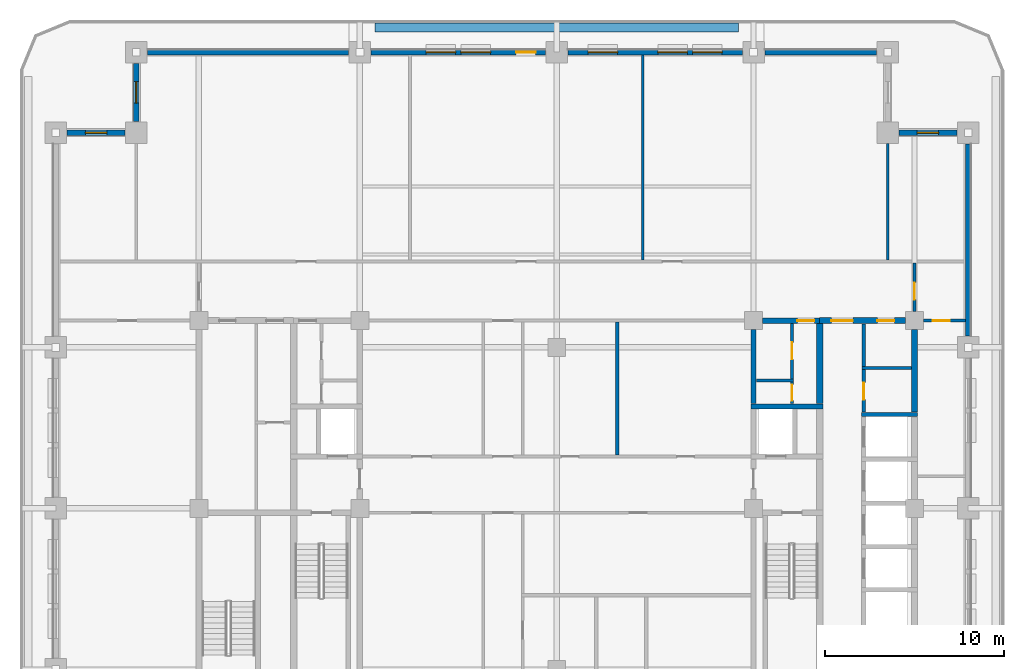
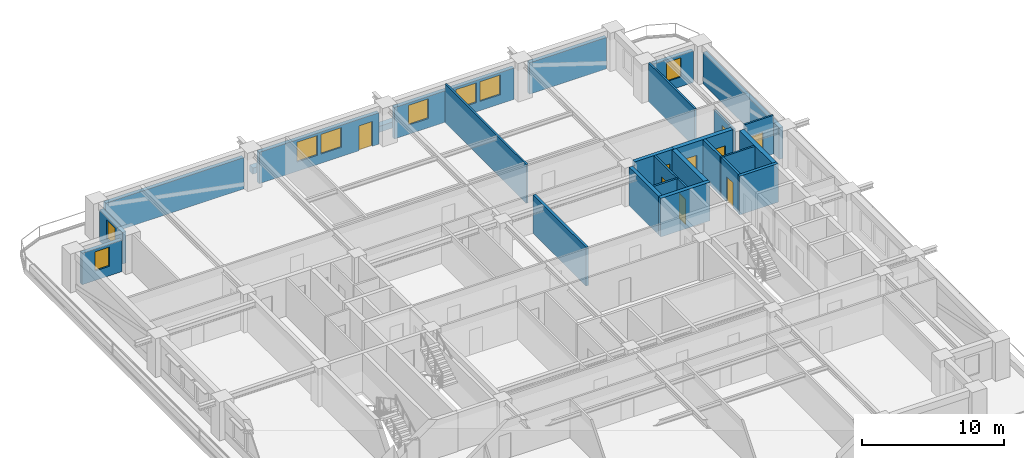
# One storey, part 6 of 15: 27 walls, 9 doors, 8 windows, 17 openings.
"""IFC4 building model written with IfcOpenShell, lengths in metres."""

from ifc_helpers import new_model, si_unit, direction, frame, frame_2d, origin, place, context, subcontext, project, spatial, rectangle, extrude, material, layer, layer_set, type_object, element, fill, save


model = new_model("IFC4")

# Units and contexts
model_context = context("Model", 3, precision=1e-05, world=origin(), true_north=direction((0.0, 1.0)))
body_context = subcontext(model_context, "Body", "Model", "MODEL_VIEW")
ifc_project = project(units=[si_unit("LENGTHUNIT", "METRE"), si_unit("AREAUNIT", "SQUARE_METRE"), si_unit("VOLUMEUNIT", "CUBIC_METRE"), si_unit("PLANEANGLEUNIT", "RADIAN"), si_unit("MASSUNIT", "GRAM", prefix="KILO")], contexts=[model_context])

# Site, building, storey
site_placement = place(None, origin())
site = spatial("IfcSite", under=ifc_project, at=site_placement, CompositionType="ELEMENT")
building_placement = place(site_placement, origin())
building = spatial("IfcBuilding", under=site, at=building_placement, Name="Zulmaris Gate Convention Tower", CompositionType="ELEMENT")
storey_placement = place(building_placement, frame((0.0, 0.0, 132.059814453125)))
storey = spatial("IfcBuildingStorey", under=building, at=storey_placement, Name="L33", CompositionType="ELEMENT", Elevation=132.059814453125)

# Walls
ifc_material_1 = material(Name="Concrete C50/60", Category="concrete")
ifc_layer_1 = layer(ifc_material_1, 0.25, Name="Concrete C50/60")
ifc_layer_set_1 = layer_set([ifc_layer_1], Name="Concrete C50/60")
wall_type_1 = type_object("IfcWallType", Name="CORE-250", PredefinedType="SOLIDWALL", material=ifc_layer_set_1)
wall_1_placement = place(storey_placement, frame((17.02490234375, 5.25, 0.0), z_axis=(0.0, 0.0, 1.0), x_axis=(1.0, 0.0, 0.0)))
element("IfcWall", 1, at=wall_1_placement, inside=storey, type_object=wall_type_1, Name="WL-L33-014", PredefinedType="SOLIDWALL", context=body_context, shape_type="SweptSolid", body=[
    extrude(rectangle(XDim=3.150146484375, YDim=0.25, at=frame_2d((1.5751953125, 0.0))), origin(), (0.0, 0.0, 1.0), 3.320068359375),
])
ifc_layer_2 = layer(ifc_material_1, 0.300048828125, Name="Concrete C50/60")
ifc_layer_set_2 = layer_set([ifc_layer_2], Name="Concrete C50/60")
wall_type_2 = type_object("IfcWallType", Name="CORE-300", PredefinedType="SHEAR", material=ifc_layer_set_2)
wall_2_placement = place(storey_placement, frame((10.85009765625, 5.699951171875, 0.0), z_axis=(0.0, 0.0, 1.0), x_axis=(1.0, 0.0, 0.0)))
element("IfcWall", 2, at=wall_2_placement, inside=storey, type_object=wall_type_2, Name="WL-L33-016", PredefinedType="SHEAR", context=body_context, shape_type="SweptSolid", body=[
    extrude(rectangle(XDim=4.02490234375, YDim=0.300048828125, at=frame_2d((2.012451171875, 0.0))), origin(), (0.0, 0.0, 1.0), 3.320068359375),
])

# Wall, opening, door
wall_3_placement = place(storey_placement, frame((11.50390625, 10.5, 0.0), z_axis=(0.0, 0.0, 1.0), x_axis=(1.0, 0.0, 0.0)))
wall_3 = element("IfcWall", 3, at=wall_3_placement, inside=storey, type_object=wall_type_2, Name="WL-L33-019", PredefinedType="SHEAR", context=body_context, shape_type="SweptSolid", body=[
    extrude(rectangle(XDim=3.196044921875, YDim=0.300048828125, at=frame_2d((1.59814453125, 0.0))), origin(), (0.0, 0.0, 1.0), 3.320068359375),
])
opening_1_placement = place(wall_3_placement, frame((1.94091796875, 0.0, 0.0)))
opening_1 = element("IfcOpeningElement", 4, at=opening_1_placement, cuts=wall_3, Name="Opening D-11", PredefinedType="OPENING", context=body_context, shape_type="SweptSolid", body=[
    extrude(rectangle(XDim=0.949951171875, YDim=2.14990234375, at=frame_2d((0.47509765625, 1.074951171875))), frame((0.0, 0.16015625, 0.0), z_axis=(0.0, -1.0, 0.0), x_axis=(1.0, 0.0, 0.0)), (0.0, 0.0, 1.0), 0.320068359375),
])
ifc_material_2 = material(Name="Fire-Rated Timber", Category="wood")
door_type_1 = type_object("IfcDoorType", Name="DR-950-FD", OperationType="NOTDEFINED", PredefinedType="DOOR", material=ifc_material_2)
door_1_placement = place(opening_1_placement, origin())
door_1 = element("IfcDoor", 5, at=door_1_placement, inside=storey, type_object=door_type_1, Name="L33 Core East Passage Door 10", OperationType="SINGLE_SWING_LEFT", OverallHeight=2.14990234375, OverallWidth=0.949951171875, PredefinedType="DOOR", context=body_context, shape_type="SweptSolid", body=[
    extrude(rectangle(XDim=0.949951171875, YDim=2.14990234375, at=frame_2d((0.47509765625, 1.074951171875))), frame((0.0, 0.02490234375, 0.0), z_axis=(0.0, -1.0, 0.0), x_axis=(1.0, 0.0, 0.0)), (0.0, 0.0, 1.0), 0.050048828125),
])
fill(opening_1, door_1)

# Wall
wall_4_placement = place(storey_placement, frame((11.0, 5.85205078125, 0.0), z_axis=(0.0, 0.0, 1.0), x_axis=(0.0, 1.0, 0.0)))
element("IfcWall", 6, at=wall_4_placement, inside=storey, type_object=wall_type_2, Name="WL-L33-053", PredefinedType="SHEAR", context=body_context, shape_type="SweptSolid", body=[
    extrude(rectangle(XDim=4.14404296875, YDim=0.300048828125, at=frame_2d((2.072021484375, 0.0))), origin(), (0.0, 0.0, 1.0), 3.320068359375),
])

# Wall, openings, doors
ifc_material_3 = material(Name="Concrete C55/67", Category="concrete")
ifc_layer_3 = layer(ifc_material_3, 0.35009765625, Name="Concrete C55/67")
ifc_layer_set_3 = layer_set([ifc_layer_3], Name="Concrete C55/67")
wall_type_3 = type_object("IfcWallType", Name="CORE-350", PredefinedType="SHEAR", material=ifc_layer_set_3)
wall_5_placement = place(storey_placement, frame((14.699951171875, 10.5, 0.0), z_axis=(0.0, 0.0, 1.0), x_axis=(1.0, 0.0, 0.0)))
wall_5 = element("IfcWall", 7, at=wall_5_placement, inside=storey, type_object=wall_type_3, Name="WL-L33-020", PredefinedType="SHEAR", context=body_context, shape_type="SweptSolid", body=[
    extrude(rectangle(XDim=4.796142578125, YDim=0.35009765625, at=frame_2d((2.39794921875, 0.0))), origin(), (0.0, 0.0, 1.0), 3.320068359375),
])
opening_2_placement = place(wall_5_placement, frame((0.64990234375, 0.0, 0.0)))
opening_2 = element("IfcOpeningElement", 8, at=opening_2_placement, cuts=wall_5, Name="Opening D-13", PredefinedType="OPENING", context=body_context, shape_type="SweptSolid", body=[
    extrude(rectangle(XDim=1.199951171875, YDim=2.14990234375, at=frame_2d((0.60009765625, 1.074951171875))), frame((0.0, 0.18505859375, 0.0), z_axis=(0.0, -1.0, 0.0), x_axis=(1.0, 0.0, 0.0)), (0.0, 0.0, 1.0), 0.3701171875),
])
opening_3_placement = place(wall_5_placement, frame((3.22509765625, 0.0, 0.0)))
opening_3 = element("IfcOpeningElement", 9, at=opening_3_placement, cuts=wall_5, Name="Opening D-11", PredefinedType="OPENING", context=body_context, shape_type="SweptSolid", body=[
    extrude(rectangle(XDim=0.949951171875, YDim=2.14990234375, at=frame_2d((0.47509765625, 1.074951171875))), frame((0.0, 0.18505859375, 0.0), z_axis=(0.0, -1.0, 0.0), x_axis=(1.0, 0.0, 0.0)), (0.0, 0.0, 1.0), 0.3701171875),
])
ifc_material_4 = material(Name="Fire-Rated Steel", Category="steel")
door_type_2 = type_object("IfcDoorType", Name="DR-1200-FD", OperationType="NOTDEFINED", PredefinedType="DOOR", material=ifc_material_4)
door_2_placement = place(opening_2_placement, origin())
door_2 = element("IfcDoor", 10, at=door_2_placement, inside=storey, type_object=door_type_2, Name="L33 East Lift Lobby North Door 22", OperationType="SINGLE_SWING_LEFT", OverallHeight=2.14990234375, OverallWidth=1.199951171875, PredefinedType="DOOR", context=body_context, shape_type="SweptSolid", body=[
    extrude(rectangle(XDim=1.199951171875, YDim=2.14990234375, at=frame_2d((0.60009765625, 1.074951171875))), frame((0.0, 0.02490234375, 0.0), z_axis=(0.0, -1.0, 0.0), x_axis=(1.0, 0.0, 0.0)), (0.0, 0.0, 1.0), 0.050048828125),
])
fill(opening_2, door_2)
door_3_placement = place(opening_3_placement, origin())
door_3 = element("IfcDoor", 11, at=door_3_placement, inside=storey, type_object=door_type_1, Name="L33 Mid-Rise Supply Door 23", OperationType="SINGLE_SWING_RIGHT", OverallHeight=2.14990234375, OverallWidth=0.949951171875, PredefinedType="DOOR", context=body_context, shape_type="SweptSolid", body=[
    extrude(rectangle(XDim=0.949951171875, YDim=2.14990234375, at=frame_2d((0.47509765625, 1.074951171875))), frame((0.0, 0.02490234375, 0.0), z_axis=(0.0, -1.0, 0.0), x_axis=(1.0, 0.0, 0.0)), (0.0, 0.0, 1.0), 0.050048828125),
])
fill(opening_3, door_3)

# Walls
wall_6_placement = place(storey_placement, frame((14.699951171875, 5.85205078125, 0.0), z_axis=(0.0, 0.0, 1.0), x_axis=(0.0, 1.0, 0.0)))
element("IfcWall", 12, at=wall_6_placement, inside=storey, type_object=wall_type_3, Name="WL-L33-059", PredefinedType="SHEAR", context=body_context, shape_type="SweptSolid", body=[
    extrude(rectangle(XDim=4.470947265625, YDim=0.35009765625, at=frame_2d((2.2353515625, 0.0))), origin(), (0.0, 0.0, 1.0), 3.320068359375),
])
wall_7_placement = place(storey_placement, frame((20.0, 5.376953125, 0.0), z_axis=(0.0, 0.0, 1.0), x_axis=(0.0, 1.0, 0.0)))
element("IfcWall", 13, at=wall_7_placement, inside=storey, type_object=wall_type_3, Name="WL-L33-071", PredefinedType="SHEAR", context=body_context, shape_type="SweptSolid", body=[
    extrude(rectangle(XDim=4.619140625, YDim=0.35009765625, at=frame_2d((2.3095703125, 0.0))), origin(), (0.0, 0.0, 1.0), 3.320068359375),
])
ifc_material_5 = material(Name="Gypsum Metal Stud Partition")
ifc_layer_4 = layer(ifc_material_5, 0.14990234375, Name="Gypsum Metal Stud Partition")
ifc_layer_set_4 = layer_set([ifc_layer_4], Name="Gypsum Metal Stud Partition")
wall_type_4 = type_object("IfcWallType", Name="PART-150", PredefinedType="PARTITIONING", material=ifc_layer_set_4)
wall_8_placement = place(storey_placement, frame((11.153076171875, 7.14990234375, 0.0), z_axis=(0.0, 0.0, 1.0), x_axis=(1.0, 0.0, 0.0)))
element("IfcWall", 14, at=wall_8_placement, inside=storey, type_object=wall_type_4, Name="WL-L33-031", PredefinedType="PARTITIONING", context=body_context, shape_type="SweptSolid", body=[
    extrude(rectangle(XDim=2.072021484375, YDim=0.14990234375, at=frame_2d((1.0361328125, 0.0))), origin(), (0.0, 0.0, 1.0), 3.320068359375),
])
wall_9_placement = place(storey_placement, frame((17.050048828125, 7.85009765625, 0.0), z_axis=(0.0, 0.0, 1.0), x_axis=(1.0, 0.0, 0.0)))
element("IfcWall", 15, at=wall_9_placement, inside=storey, type_object=wall_type_4, Name="WL-L33-032", PredefinedType="PARTITIONING", context=body_context, shape_type="SweptSolid", body=[
    extrude(rectangle(XDim=2.77197265625, YDim=0.14990234375, at=frame_2d((1.385986328125, 0.0))), origin(), (0.0, 0.0, 1.0), 3.320068359375),
])

# Wall, opening, door
wall_10_placement = place(storey_placement, frame((20.506103515625, 10.5, 0.0), z_axis=(0.0, 0.0, 1.0), x_axis=(1.0, 0.0, 0.0)))
wall_10 = element("IfcWall", 16, at=wall_10_placement, inside=storey, type_object=wall_type_4, Name="WL-L33-035", PredefinedType="PARTITIONING", context=body_context, shape_type="SweptSolid", body=[
    extrude(rectangle(XDim=2.328857421875, YDim=0.14990234375, at=frame_2d((1.16455078125, 0.0))), origin(), (0.0, 0.0, 1.0), 3.320068359375),
])
opening_4_placement = place(wall_10_placement, frame((0.51904296875, 0.0, 0.0)))
opening_4 = element("IfcOpeningElement", 17, at=opening_4_placement, cuts=wall_10, Name="Opening D-11", PredefinedType="OPENING", context=body_context, shape_type="SweptSolid", body=[
    extrude(rectangle(XDim=0.949951171875, YDim=2.14990234375, at=frame_2d((0.47509765625, 1.074951171875))), frame((0.0, 0.0849609375, 0.0), z_axis=(0.0, -1.0, 0.0), x_axis=(1.0, 0.0, 0.0)), (0.0, 0.0, 1.0), 0.169921875),
])
door_4_placement = place(opening_4_placement, origin())
door_4 = element("IfcDoor", 18, at=door_4_placement, inside=storey, type_object=door_type_1, Name="L33 NE Partner Door 51", OperationType="SINGLE_SWING_RIGHT", OverallHeight=2.14990234375, OverallWidth=0.949951171875, PredefinedType="DOOR", context=body_context, shape_type="SweptSolid", body=[
    extrude(rectangle(XDim=0.949951171875, YDim=2.14990234375, at=frame_2d((0.47509765625, 1.074951171875))), frame((0.0, 0.02490234375, 0.0), z_axis=(0.0, -1.0, 0.0), x_axis=(1.0, 0.0, 0.0)), (0.0, 0.0, 1.0), 0.050048828125),
])
fill(opening_4, door_4)

# Wall
wall_11_placement = place(storey_placement, frame((4.800048828125, 13.8779296875, 0.0), z_axis=(0.0, 0.0, 1.0), x_axis=(0.0, 1.0, 0.0)))
element("IfcWall", 19, at=wall_11_placement, inside=storey, type_object=wall_type_4, Name="WL-L33-091", PredefinedType="PARTITIONING", context=body_context, shape_type="SweptSolid", body=[
    extrude(rectangle(XDim=11.45703125, YDim=0.14990234375, at=frame_2d((5.728515625, 0.0))), origin(), (0.0, 0.0, 1.0), 3.320068359375),
])

# Wall, opening, door
wall_12_placement = place(storey_placement, frame((13.14990234375, 5.85302734375, 0.0), z_axis=(0.0, 0.0, 1.0), x_axis=(0.0, 1.0, 0.0)))
wall_12 = element("IfcWall", 20, at=wall_12_placement, inside=storey, type_object=wall_type_4, Name="WL-L33-094", PredefinedType="PARTITIONING", context=body_context, shape_type="SweptSolid", body=[
    extrude(rectangle(XDim=1.218994140625, YDim=0.14990234375, at=frame_2d((0.609375, 0.0))), origin(), (0.0, 0.0, 1.0), 3.320068359375),
])
opening_5_placement = place(wall_12_placement, frame((0.1689453125, 0.0, 0.0)))
opening_5 = element("IfcOpeningElement", 21, at=opening_5_placement, cuts=wall_12, Name="Opening D-12", PredefinedType="OPENING", context=body_context, shape_type="SweptSolid", body=[
    extrude(rectangle(XDim=0.89990234375, YDim=2.14990234375, at=frame_2d((0.449951171875, 1.074951171875))), frame((0.0, 0.0849609375, 0.0), z_axis=(0.0, -1.0, 0.0), x_axis=(1.0, 0.0, 0.0)), (0.0, 0.0, 1.0), 0.169921875),
])
door_type_3 = type_object("IfcDoorType", Name="DR-900-FD", OperationType="NOTDEFINED", PredefinedType="DOOR", material=ifc_material_2)
door_5_placement = place(opening_5_placement, origin())
door_5 = element("IfcDoor", 22, at=door_5_placement, inside=storey, type_object=door_type_3, Name="L33 Core Staff WC Door 11", OperationType="SINGLE_SWING_RIGHT", OverallHeight=2.14990234375, OverallWidth=0.89990234375, PredefinedType="DOOR", context=body_context, shape_type="SweptSolid", body=[
    extrude(rectangle(XDim=0.89990234375, YDim=2.14990234375, at=frame_2d((0.449951171875, 1.074951171875))), frame((0.0, 0.02490234375, 0.0), z_axis=(0.0, -1.0, 0.0), x_axis=(1.0, 0.0, 0.0)), (0.0, 0.0, 1.0), 0.050048828125),
])
fill(opening_5, door_5)

wall_13_placement = place(storey_placement, frame((13.14990234375, 7.22802734375, 0.0), z_axis=(0.0, 0.0, 1.0), x_axis=(0.0, 1.0, 0.0)))
wall_13 = element("IfcWall", 23, at=wall_13_placement, inside=storey, type_object=wall_type_4, Name="WL-L33-095", PredefinedType="PARTITIONING", context=body_context, shape_type="SweptSolid", body=[
    extrude(rectangle(XDim=3.118896484375, YDim=0.14990234375, at=frame_2d((1.5595703125, 0.0))), origin(), (0.0, 0.0, 1.0), 3.320068359375),
])
opening_6_placement = place(wall_13_placement, frame((1.096923828125, 0.0, 0.0)))
opening_6 = element("IfcOpeningElement", 24, at=opening_6_placement, cuts=wall_13, Name="Opening D-11", PredefinedType="OPENING", context=body_context, shape_type="SweptSolid", body=[
    extrude(rectangle(XDim=0.949951171875, YDim=2.14990234375, at=frame_2d((0.47509765625, 1.074951171875))), frame((0.0, 0.0849609375, 0.0), z_axis=(0.0, -1.0, 0.0), x_axis=(1.0, 0.0, 0.0)), (0.0, 0.0, 1.0), 0.169921875),
])
door_6_placement = place(opening_6_placement, origin())
door_6 = element("IfcDoor", 25, at=door_6_placement, inside=storey, type_object=door_type_1, Name="L33 Core Hygiene Store Door 12", OperationType="SINGLE_SWING_LEFT", OverallHeight=2.14990234375, OverallWidth=0.949951171875, PredefinedType="DOOR", context=body_context, shape_type="SweptSolid", body=[
    extrude(rectangle(XDim=0.949951171875, YDim=2.14990234375, at=frame_2d((0.47509765625, 1.074951171875))), frame((0.0, 0.02490234375, 0.0), z_axis=(0.0, -1.0, 0.0), x_axis=(1.0, 0.0, 0.0)), (0.0, 0.0, 1.0), 0.050048828125),
])
fill(opening_6, door_6)

# Wall
wall_14_placement = place(storey_placement, frame((18.5, 13.8779296875, 0.0), z_axis=(0.0, 0.0, 1.0), x_axis=(0.0, 1.0, 0.0)))
element("IfcWall", 26, at=wall_14_placement, inside=storey, type_object=wall_type_4, Name="WL-L33-099", PredefinedType="PARTITIONING", context=body_context, shape_type="SweptSolid", body=[
    extrude(rectangle(XDim=6.51611328125, YDim=0.14990234375, at=frame_2d((3.258056640625, 0.0))), origin(), (0.0, 0.0, 1.0), 3.320068359375),
])

# Wall, opening, door
wall_15_placement = place(storey_placement, frame((20.0, 11.006103515625, 0.0), z_axis=(0.0, 0.0, 1.0), x_axis=(0.0, 1.0, 0.0)))
wall_15 = element("IfcWall", 27, at=wall_15_placement, inside=storey, type_object=wall_type_4, Name="WL-L33-101", PredefinedType="PARTITIONING", context=body_context, shape_type="SweptSolid", body=[
    extrude(rectangle(XDim=2.7158203125, YDim=0.14990234375, at=frame_2d((1.35791015625, 0.0))), origin(), (0.0, 0.0, 1.0), 2.81005859375),
])
opening_7_placement = place(wall_15_placement, frame((0.6689453125, 0.0, 0.0)))
opening_7 = element("IfcOpeningElement", 28, at=opening_7_placement, cuts=wall_15, Name="Opening D-11", PredefinedType="OPENING", context=body_context, shape_type="SweptSolid", body=[
    extrude(rectangle(XDim=0.949951171875, YDim=2.14990234375, at=frame_2d((0.47509765625, 1.074951171875))), frame((0.0, 0.0849609375, 0.0), z_axis=(0.0, -1.0, 0.0), x_axis=(1.0, 0.0, 0.0)), (0.0, 0.0, 1.0), 0.169921875),
])
door_7_placement = place(opening_7_placement, origin())
door_7 = element("IfcDoor", 29, at=door_7_placement, inside=storey, type_object=door_type_1, Name="L33 NE Spur Door 49", OperationType="SINGLE_SWING_RIGHT", OverallHeight=2.14990234375, OverallWidth=0.949951171875, PredefinedType="DOOR", context=body_context, shape_type="SweptSolid", body=[
    extrude(rectangle(XDim=0.949951171875, YDim=2.14990234375, at=frame_2d((0.47509765625, 1.074951171875))), frame((0.0, 0.02490234375, 0.0), z_axis=(0.0, -1.0, 0.0), x_axis=(1.0, 0.0, 0.0)), (0.0, 0.0, 1.0), 0.050048828125),
])
fill(opening_7, door_7)

# Wall
ifc_material_6 = material(Name="Autoclaved Aerated Concrete Block and Plasterboard", Category="concrete")
ifc_layer_5 = layer(ifc_material_6, 0.199951171875, Name="Autoclaved Aerated Concrete Block and Plasterboard")
ifc_layer_set_5 = layer_set([ifc_layer_5], Name="Autoclaved Aerated Concrete Block and Plasterboard")
wall_type_5 = type_object("IfcWallType", Name="PART-200", PredefinedType="PARTITIONING", material=ifc_layer_set_5)
wall_16_placement = place(storey_placement, frame((3.389892578125, 2.97802734375, 0.0), z_axis=(0.0, 0.0, 1.0), x_axis=(0.0, 1.0, 0.0)))
element("IfcWall", 30, at=wall_16_placement, inside=storey, type_object=wall_type_5, Name="WL-L33-090", PredefinedType="PARTITIONING", context=body_context, shape_type="SweptSolid", body=[
    extrude(rectangle(XDim=7.444091796875, YDim=0.199951171875, at=frame_2d((3.72216796875, 0.0))), origin(), (0.0, 0.0, 1.0), 3.320068359375),
])

# Wall, opening, door
wall_17_placement = place(storey_placement, frame((17.14990234375, 5.3779296875, 0.0), z_axis=(0.0, 0.0, 1.0), x_axis=(0.0, 1.0, 0.0)))
wall_17 = element("IfcWall", 31, at=wall_17_placement, inside=storey, type_object=wall_type_5, Name="WL-L33-096", PredefinedType="PARTITIONING", context=body_context, shape_type="SweptSolid", body=[
    extrude(rectangle(XDim=2.39404296875, YDim=0.199951171875, at=frame_2d((1.197021484375, 0.0))), origin(), (0.0, 0.0, 1.0), 3.320068359375),
])
opening_8_placement = place(wall_17_placement, frame((0.697021484375, 0.0, 0.0)))
opening_8 = element("IfcOpeningElement", 32, at=opening_8_placement, cuts=wall_17, Name="Opening D-11", PredefinedType="OPENING", context=body_context, shape_type="SweptSolid", body=[
    extrude(rectangle(XDim=0.949951171875, YDim=2.14990234375, at=frame_2d((0.47509765625, 1.074951171875))), frame((0.0, 0.10986328125, 0.0), z_axis=(0.0, -1.0, 0.0), x_axis=(1.0, 0.0, 0.0)), (0.0, 0.0, 1.0), 0.219970703125),
])
door_8_placement = place(opening_8_placement, origin())
door_8 = element("IfcDoor", 33, at=door_8_placement, inside=storey, type_object=door_type_1, Name="L33 Mid-Rise Meter Door 24", OperationType="SINGLE_SWING_LEFT", OverallHeight=2.14990234375, OverallWidth=0.949951171875, PredefinedType="DOOR", context=body_context, shape_type="SweptSolid", body=[
    extrude(rectangle(XDim=0.949951171875, YDim=2.14990234375, at=frame_2d((0.47509765625, 1.074951171875))), frame((0.0, 0.02490234375, 0.0), z_axis=(0.0, -1.0, 0.0), x_axis=(1.0, 0.0, 0.0)), (0.0, 0.0, 1.0), 0.050048828125),
])
fill(opening_8, door_8)

# Walls
wall_18_placement = place(storey_placement, frame((17.14990234375, 7.927978515625, 0.0), z_axis=(0.0, 0.0, 1.0), x_axis=(0.0, 1.0, 0.0)))
element("IfcWall", 34, at=wall_18_placement, inside=storey, type_object=wall_type_5, Name="WL-L33-097", PredefinedType="PARTITIONING", context=body_context, shape_type="SweptSolid", body=[
    extrude(rectangle(XDim=2.39404296875, YDim=0.199951171875, at=frame_2d((1.197021484375, 0.0))), origin(), (0.0, 0.0, 1.0), 3.320068359375),
])
ifc_material_7 = material(Name="Botanical Green Glazed Precast Concrete C40/50", Category="concrete")
ifc_layer_6 = layer(ifc_material_7, 0.419921875, Name="Botanical Green Glazed Precast Concrete C40/50")
ifc_layer_set_6 = layer_set([ifc_layer_6], Name="Botanical Green Glazed Precast Concrete C40/50")
wall_type_6 = type_object("IfcWallType", Name="PLANTER-CURB-200", PredefinedType="PARAPET", material=ifc_layer_set_6)
wall_19_placement = place(storey_placement, frame((-10.14990234375, 26.8798828125, -0.0400390625), z_axis=(0.0, 0.0, 1.0), x_axis=(1.0, 0.0, 0.0)))
element("IfcWall", 35, at=wall_19_placement, inside=storey, type_object=wall_type_6, Name="L33 Full-Length Balcony Tree Planter Trough", PredefinedType="PARAPET", context=body_context, shape_type="SweptSolid", body=[
    extrude(rectangle(XDim=20.2998046875, YDim=0.47998046875, at=frame_2d((10.14990234375, 0.0))), origin(), (0.0, 0.0, 1.0), 0.52001953125),
])

# Wall, opening, window
ifc_material_8 = material(Name="Precast concrete C40/50", Category="concrete")
ifc_layer_7 = layer(ifc_material_8, 0.300048828125, Name="Precast concrete C40/50")
ifc_layer_set_7 = layer_set([ifc_layer_7], Name="Precast concrete C40/50")
wall_type_7 = type_object("IfcWallType", Name="PRECAST-PIER-300", PredefinedType="STANDARD", material=ifc_layer_set_7)
wall_20_placement = place(storey_placement, frame((22.3701171875, 21.0, 0.0), z_axis=(0.0, 0.0, 1.0), x_axis=(-1.0, 0.0, 0.0)))
wall_20 = element("IfcWall", 36, at=wall_20_placement, inside=storey, type_object=wall_type_7, Name="EW-L33-NOTCH-NE1_0", PredefinedType="STANDARD", context=body_context, shape_type="SweptSolid", body=[
    extrude(rectangle(XDim=3.240234375, YDim=0.300048828125, at=frame_2d((1.6201171875, 0.0))), origin(), (0.0, 0.0, 1.0), 2.712158203125),
])
opening_9_placement = place(wall_20_placement, frame((1.02001953125, 0.0, 0.820068359375)))
opening_9 = element("IfcOpeningElement", 37, at=opening_9_placement, cuts=wall_20, Name="Opening W-04", PredefinedType="OPENING", context=body_context, shape_type="SweptSolid", body=[
    extrude(rectangle(XDim=1.199951171875, YDim=1.64990234375, at=frame_2d((0.60009765625, 0.824951171875))), frame((0.0, 0.16015625, 0.0), z_axis=(0.0, -1.0, 0.0), x_axis=(1.0, 0.0, 0.0)), (0.0, 0.0, 1.0), 0.320068359375),
])
ifc_material_9 = material(Name="Low-E Laminated Double Glazing in Aluminium Frame", Category="aluminium")
window_type_1 = type_object("IfcWindowType", Name="WIN-1200x2100", PartitioningType="SINGLE_PANEL", PredefinedType="WINDOW", material=ifc_material_9)
window_1_placement = place(opening_9_placement, origin())
window_1 = element("IfcWindow", 38, at=window_1_placement, inside=storey, type_object=window_type_1, Name="WN-EW-L33-NOTCH-NE1_0", OverallHeight=1.64990234375, OverallWidth=1.199951171875, PartitioningType="SINGLE_PANEL", PredefinedType="WINDOW", context=body_context, shape_type="SweptSolid", body=[
    extrude(rectangle(XDim=1.199951171875, YDim=1.64990234375, at=frame_2d((0.60009765625, 0.824951171875))), frame((0.0, 0.030029296875, 0.0), z_axis=(0.0, -1.0, 0.0), x_axis=(1.0, 0.0, 0.0)), (0.0, 0.0, 1.0), 0.06005859375),
])
fill(opening_9, window_1)

wall_21_placement = place(storey_placement, frame((-23.5, 24.8701171875, 0.0), z_axis=(0.0, 0.0, 1.0), x_axis=(0.0, -1.0, 0.0)))
wall_21 = element("IfcWall", 39, at=wall_21_placement, inside=storey, type_object=wall_type_7, Name="EW-L33-NOTCH-NW1_0", PredefinedType="STANDARD", context=body_context, shape_type="SweptSolid", body=[
    extrude(rectangle(XDim=3.240234375, YDim=0.300048828125, at=frame_2d((1.6201171875, 0.0))), origin(), (0.0, 0.0, 1.0), 2.712158203125),
])
opening_10_placement = place(wall_21_placement, frame((1.02001953125, 0.0, 0.820068359375)))
opening_10 = element("IfcOpeningElement", 40, at=opening_10_placement, cuts=wall_21, Name="Opening W-04", PredefinedType="OPENING", context=body_context, shape_type="SweptSolid", body=[
    extrude(rectangle(XDim=1.199951171875, YDim=1.64990234375, at=frame_2d((0.60009765625, 0.824951171875))), frame((0.0, 0.16015625, 0.0), z_axis=(0.0, -1.0, 0.0), x_axis=(1.0, 0.0, 0.0)), (0.0, 0.0, 1.0), 0.320068359375),
])
window_2_placement = place(opening_10_placement, origin())
window_2 = element("IfcWindow", 41, at=window_2_placement, inside=storey, type_object=window_type_1, Name="WN-EW-L33-NOTCH-NW1_0", OverallHeight=1.64990234375, OverallWidth=1.199951171875, PartitioningType="SINGLE_PANEL", PredefinedType="WINDOW", context=body_context, shape_type="SweptSolid", body=[
    extrude(rectangle(XDim=1.199951171875, YDim=1.64990234375, at=frame_2d((0.60009765625, 0.824951171875))), frame((0.0, 0.030029296875, 0.0), z_axis=(0.0, -1.0, 0.0), x_axis=(1.0, 0.0, 0.0)), (0.0, 0.0, 1.0), 0.06005859375),
])
fill(opening_10, window_2)

wall_22_placement = place(storey_placement, frame((-24.1298828125, 21.0, 0.0), z_axis=(0.0, 0.0, 1.0), x_axis=(-1.0, 0.0, 0.0)))
wall_22 = element("IfcWall", 42, at=wall_22_placement, inside=storey, type_object=wall_type_7, Name="EW-L33-NOTCH-NW2_0", PredefinedType="STANDARD", context=body_context, shape_type="SweptSolid", body=[
    extrude(rectangle(XDim=3.240234375, YDim=0.300048828125, at=frame_2d((1.6201171875, 0.0))), origin(), (0.0, 0.0, 1.0), 2.712158203125),
])
opening_11_placement = place(wall_22_placement, frame((1.02001953125, 0.0, 0.820068359375)))
opening_11 = element("IfcOpeningElement", 43, at=opening_11_placement, cuts=wall_22, Name="Opening W-04", PredefinedType="OPENING", context=body_context, shape_type="SweptSolid", body=[
    extrude(rectangle(XDim=1.199951171875, YDim=1.64990234375, at=frame_2d((0.60009765625, 0.824951171875))), frame((0.0, 0.16015625, 0.0), z_axis=(0.0, -1.0, 0.0), x_axis=(1.0, 0.0, 0.0)), (0.0, 0.0, 1.0), 0.320068359375),
])
window_3_placement = place(opening_11_placement, origin())
window_3 = element("IfcWindow", 44, at=window_3_placement, inside=storey, type_object=window_type_1, Name="WN-EW-L33-NOTCH-NW2_0", OverallHeight=1.64990234375, OverallWidth=1.199951171875, PartitioningType="SINGLE_PANEL", PredefinedType="WINDOW", context=body_context, shape_type="SweptSolid", body=[
    extrude(rectangle(XDim=1.199951171875, YDim=1.64990234375, at=frame_2d((0.60009765625, 0.824951171875))), frame((0.0, 0.030029296875, 0.0), z_axis=(0.0, -1.0, 0.0), x_axis=(1.0, 0.0, 0.0)), (0.0, 0.0, 1.0), 0.06005859375),
])
fill(opening_11, window_3)

# Wall
wall_23_placement = place(storey_placement, frame((-11.6298828125, 25.5, 0.0), z_axis=(0.0, 0.0, 1.0), x_axis=(-1.0, 0.0, 0.0)))
element("IfcWall", 45, at=wall_23_placement, inside=storey, type_object=wall_type_7, Name="EW-L33-N-0_0", PredefinedType="STANDARD", context=body_context, shape_type="SweptSolid", body=[
    extrude(rectangle(XDim=11.240234375, YDim=0.300048828125, at=frame_2d((5.6201171875, 0.0))), origin(), (0.0, 0.0, 1.0), 2.712158203125),
])

# Wall, openings, door, windows
wall_24_placement = place(storey_placement, frame((-0.6298828125, 25.5, 0.0), z_axis=(0.0, 0.0, 1.0), x_axis=(-1.0, 0.0, 0.0)))
wall_24 = element("IfcWall", 46, at=wall_24_placement, inside=storey, type_object=wall_type_7, Name="EW-L33-N-1_0", PredefinedType="STANDARD", context=body_context, shape_type="SweptSolid", body=[
    extrude(rectangle(XDim=9.740234375, YDim=0.300048828125, at=frame_2d((4.8701171875, 0.0))), origin(), (0.0, 0.0, 1.0), 2.712158203125),
])
opening_12_placement = place(wall_24_placement, frame((0.54296875, 0.0, 0.0)))
opening_12 = element("IfcOpeningElement", 47, at=opening_12_placement, cuts=wall_24, Name="Opening D-04", PredefinedType="OPENING", context=body_context, shape_type="SweptSolid", body=[
    extrude(rectangle(XDim=1.10009765625, YDim=2.14990234375, at=frame_2d((0.550048828125, 1.074951171875))), frame((0.0, 0.16015625, 0.0), z_axis=(0.0, -1.0, 0.0), x_axis=(1.0, 0.0, 0.0)), (0.0, 0.0, 1.0), 0.320068359375),
])
opening_13_placement = place(wall_24_placement, frame((3.071044921875, 0.0, 0.800048828125)))
opening_13 = element("IfcOpeningElement", 48, at=opening_13_placement, cuts=wall_24, Name="Opening W-08", PredefinedType="OPENING", context=body_context, shape_type="SweptSolid", body=[
    extrude(rectangle(XDim=1.64990234375, YDim=1.699951171875, at=frame_2d((0.824951171875, 0.85009765625))), frame((0.0, 0.16015625, 0.0), z_axis=(0.0, -1.0, 0.0), x_axis=(1.0, 0.0, 0.0)), (0.0, 0.0, 1.0), 0.320068359375),
])
opening_14_placement = place(wall_24_placement, frame((5.01904296875, 0.0, 0.800048828125)))
opening_14 = element("IfcOpeningElement", 49, at=opening_14_placement, cuts=wall_24, Name="Opening W-08", PredefinedType="OPENING", context=body_context, shape_type="SweptSolid", body=[
    extrude(rectangle(XDim=1.64990234375, YDim=1.699951171875, at=frame_2d((0.824951171875, 0.85009765625))), frame((0.0, 0.16015625, 0.0), z_axis=(0.0, -1.0, 0.0), x_axis=(1.0, 0.0, 0.0)), (0.0, 0.0, 1.0), 0.320068359375),
])
ifc_material_10 = material(Name="Anodised Aluminium and Laminated Glass", Category="aluminium")
door_type_4 = type_object("IfcDoorType", Name="ED-1100", OperationType="SINGLE_SWING_RIGHT", PredefinedType="DOOR", material=ifc_material_10)
door_9_placement = place(opening_12_placement, origin())
door_9 = element("IfcDoor", 50, at=door_9_placement, inside=storey, type_object=door_type_4, Name="L33 N Planted Terrace Door", OperationType="SINGLE_SWING_LEFT", OverallHeight=2.14990234375, OverallWidth=1.10009765625, PredefinedType="DOOR", context=body_context, shape_type="SweptSolid", body=[
    extrude(rectangle(XDim=1.10009765625, YDim=2.14990234375, at=frame_2d((0.550048828125, 1.074951171875))), frame((0.0, 0.02490234375, 0.0), z_axis=(0.0, -1.0, 0.0), x_axis=(1.0, 0.0, 0.0)), (0.0, 0.0, 1.0), 0.050048828125),
])
fill(opening_12, door_9)
window_type_2 = type_object("IfcWindowType", Name="WIN-1650x2150", PartitioningType="SINGLE_PANEL", PredefinedType="WINDOW", material=ifc_material_9)
window_4_placement = place(opening_13_placement, origin())
window_4 = element("IfcWindow", 51, at=window_4_placement, inside=storey, type_object=window_type_2, Name="WN-EW-L33-N-1_0-2", OverallHeight=1.699951171875, OverallWidth=1.64990234375, PartitioningType="SINGLE_PANEL", PredefinedType="WINDOW", context=body_context, shape_type="SweptSolid", body=[
    extrude(rectangle(XDim=1.64990234375, YDim=1.699951171875, at=frame_2d((0.824951171875, 0.85009765625))), frame((0.0, 0.030029296875, 0.0), z_axis=(0.0, -1.0, 0.0), x_axis=(1.0, 0.0, 0.0)), (0.0, 0.0, 1.0), 0.06005859375),
])
fill(opening_13, window_4)
window_5_placement = place(opening_14_placement, origin())
window_5 = element("IfcWindow", 52, at=window_5_placement, inside=storey, type_object=window_type_2, Name="WN-EW-L33-N-1_0-3", OverallHeight=1.699951171875, OverallWidth=1.64990234375, PartitioningType="SINGLE_PANEL", PredefinedType="WINDOW", context=body_context, shape_type="SweptSolid", body=[
    extrude(rectangle(XDim=1.64990234375, YDim=1.699951171875, at=frame_2d((0.824951171875, 0.85009765625))), frame((0.0, 0.030029296875, 0.0), z_axis=(0.0, -1.0, 0.0), x_axis=(1.0, 0.0, 0.0)), (0.0, 0.0, 1.0), 0.06005859375),
])
fill(opening_14, window_5)

# Wall, openings, windows
wall_25_placement = place(storey_placement, frame((10.3701171875, 25.5, 0.0), z_axis=(0.0, 0.0, 1.0), x_axis=(-1.0, 0.0, 0.0)))
wall_25 = element("IfcWall", 53, at=wall_25_placement, inside=storey, type_object=wall_type_7, Name="EW-L33-N-2_0", PredefinedType="STANDARD", context=body_context, shape_type="SweptSolid", body=[
    extrude(rectangle(XDim=9.740234375, YDim=0.300048828125, at=frame_2d((4.8701171875, 0.0))), origin(), (0.0, 0.0, 1.0), 2.712158203125),
])
opening_15_placement = place(wall_25_placement, frame((1.123046875, 0.0, 0.800048828125)))
opening_15 = element("IfcOpeningElement", 54, at=opening_15_placement, cuts=wall_25, Name="Opening W-08", PredefinedType="OPENING", context=body_context, shape_type="SweptSolid", body=[
    extrude(rectangle(XDim=1.64990234375, YDim=1.699951171875, at=frame_2d((0.824951171875, 0.85009765625))), frame((0.0, 0.16015625, 0.0), z_axis=(0.0, -1.0, 0.0), x_axis=(1.0, 0.0, 0.0)), (0.0, 0.0, 1.0), 0.320068359375),
])
opening_16_placement = place(wall_25_placement, frame((3.071044921875, 0.0, 0.800048828125)))
opening_16 = element("IfcOpeningElement", 55, at=opening_16_placement, cuts=wall_25, Name="Opening W-08", PredefinedType="OPENING", context=body_context, shape_type="SweptSolid", body=[
    extrude(rectangle(XDim=1.64990234375, YDim=1.699951171875, at=frame_2d((0.824951171875, 0.85009765625))), frame((0.0, 0.16015625, 0.0), z_axis=(0.0, -1.0, 0.0), x_axis=(1.0, 0.0, 0.0)), (0.0, 0.0, 1.0), 0.320068359375),
])
opening_17_placement = place(wall_25_placement, frame((6.967041015625, 0.0, 0.800048828125)))
opening_17 = element("IfcOpeningElement", 56, at=opening_17_placement, cuts=wall_25, Name="Opening W-08", PredefinedType="OPENING", context=body_context, shape_type="SweptSolid", body=[
    extrude(rectangle(XDim=1.64990234375, YDim=1.699951171875, at=frame_2d((0.824951171875, 0.85009765625))), frame((0.0, 0.16015625, 0.0), z_axis=(0.0, -1.0, 0.0), x_axis=(1.0, 0.0, 0.0)), (0.0, 0.0, 1.0), 0.320068359375),
])
window_6_placement = place(opening_15_placement, origin())
window_6 = element("IfcWindow", 57, at=window_6_placement, inside=storey, type_object=window_type_2, Name="WN-EW-L33-N-2_0-1", OverallHeight=1.699951171875, OverallWidth=1.64990234375, PartitioningType="SINGLE_PANEL", PredefinedType="WINDOW", context=body_context, shape_type="SweptSolid", body=[
    extrude(rectangle(XDim=1.64990234375, YDim=1.699951171875, at=frame_2d((0.824951171875, 0.85009765625))), frame((0.0, 0.030029296875, 0.0), z_axis=(0.0, -1.0, 0.0), x_axis=(1.0, 0.0, 0.0)), (0.0, 0.0, 1.0), 0.06005859375),
])
fill(opening_15, window_6)
window_7_placement = place(opening_16_placement, origin())
window_7 = element("IfcWindow", 58, at=window_7_placement, inside=storey, type_object=window_type_2, Name="WN-EW-L33-N-2_0-2", OverallHeight=1.699951171875, OverallWidth=1.64990234375, PartitioningType="SINGLE_PANEL", PredefinedType="WINDOW", context=body_context, shape_type="SweptSolid", body=[
    extrude(rectangle(XDim=1.64990234375, YDim=1.699951171875, at=frame_2d((0.824951171875, 0.85009765625))), frame((0.0, 0.030029296875, 0.0), z_axis=(0.0, -1.0, 0.0), x_axis=(1.0, 0.0, 0.0)), (0.0, 0.0, 1.0), 0.06005859375),
])
fill(opening_16, window_7)
window_8_placement = place(opening_17_placement, origin())
window_8 = element("IfcWindow", 59, at=window_8_placement, inside=storey, type_object=window_type_2, Name="WN-EW-L33-N-2_0-4", OverallHeight=1.699951171875, OverallWidth=1.64990234375, PartitioningType="SINGLE_PANEL", PredefinedType="WINDOW", context=body_context, shape_type="SweptSolid", body=[
    extrude(rectangle(XDim=1.64990234375, YDim=1.699951171875, at=frame_2d((0.824951171875, 0.85009765625))), frame((0.0, 0.030029296875, 0.0), z_axis=(0.0, -1.0, 0.0), x_axis=(1.0, 0.0, 0.0)), (0.0, 0.0, 1.0), 0.06005859375),
])
fill(opening_17, window_8)

# Walls
wall_26_placement = place(storey_placement, frame((17.8701171875, 25.5, 0.0), z_axis=(0.0, 0.0, 1.0), x_axis=(-1.0, 0.0, 0.0)))
element("IfcWall", 60, at=wall_26_placement, inside=storey, type_object=wall_type_7, Name="EW-L33-N-3_0", PredefinedType="STANDARD", context=body_context, shape_type="SweptSolid", body=[
    extrude(rectangle(XDim=6.240234375, YDim=0.300048828125, at=frame_2d((3.1201171875, 0.0))), origin(), (0.0, 0.0, 1.0), 2.712158203125),
])
wall_27_placement = place(storey_placement, frame((23.0, 9.6298828125, 0.0), z_axis=(0.0, 0.0, 1.0), x_axis=(0.0, 1.0, 0.0)))
element("IfcWall", 61, at=wall_27_placement, inside=storey, type_object=wall_type_7, Name="EW-L33-E-3_0", PredefinedType="STANDARD", context=body_context, shape_type="SweptSolid", body=[
    extrude(rectangle(XDim=10.740234375, YDim=0.300048828125, at=frame_2d((5.3701171875, 0.0))), origin(), (0.0, 0.0, 1.0), 2.712158203125),
])

save(model, "model.ifc")
